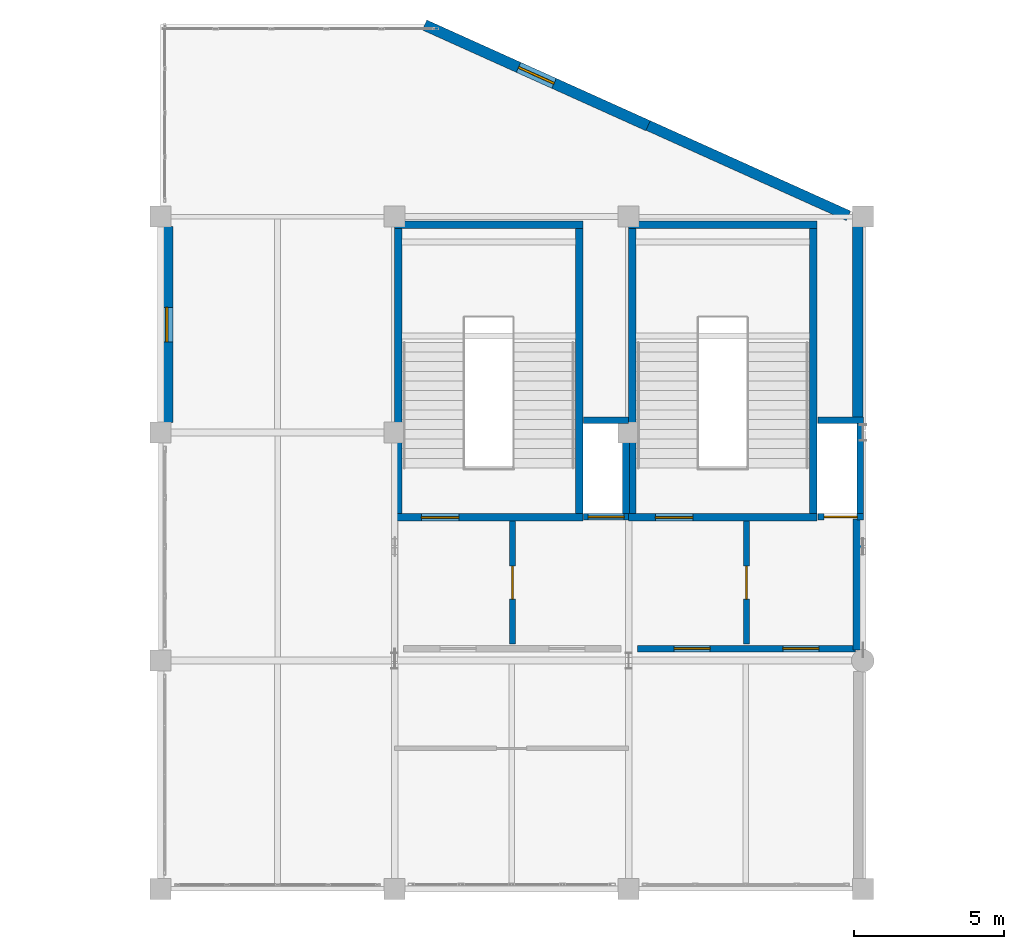
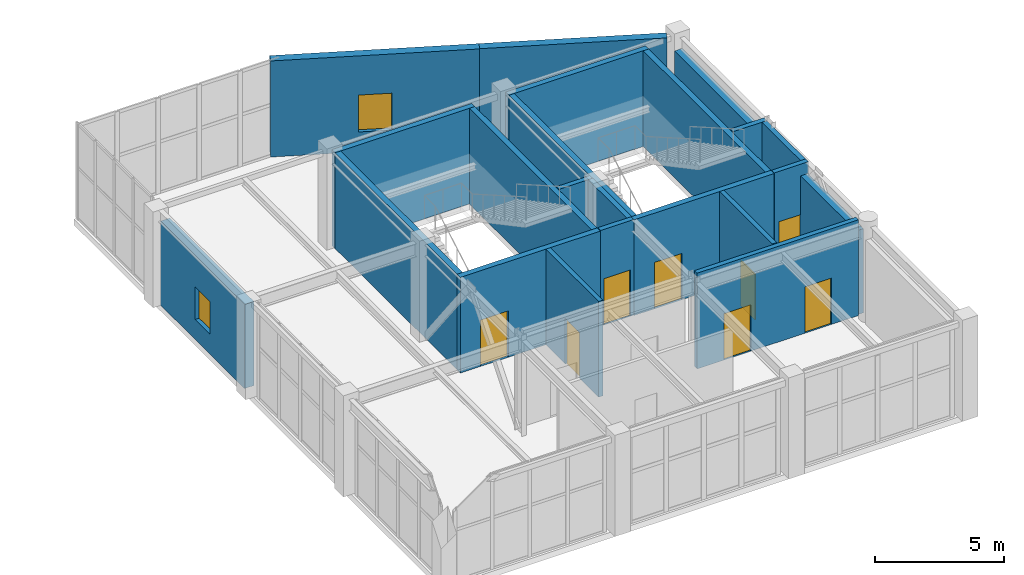
# One storey, part 68 of 72: 22 walls, 8 doors, 2 windows, 10 openings.
"""IFC4 building model written with IfcOpenShell, lengths in metres."""

from ifc_helpers import new_model, si_unit, direction, frame, frame_2d, origin, place, context, subcontext, project, spatial, rectangle, extrude, material, layer, layer_set, type_object, element, fill, save


model = new_model("IFC4")

# Units and contexts
model_context = context("Model", 3, precision=1e-05, world=origin(), true_north=direction((0.0, 1.0)))
body_context = subcontext(model_context, "Body", "Model", "MODEL_VIEW")
ifc_project = project(units=[si_unit("LENGTHUNIT", "METRE"), si_unit("AREAUNIT", "SQUARE_METRE"), si_unit("VOLUMEUNIT", "CUBIC_METRE"), si_unit("PLANEANGLEUNIT", "RADIAN"), si_unit("MASSUNIT", "GRAM", prefix="KILO")], contexts=[model_context])

# Site, building, storey
site_placement = place(None, origin())
site = spatial("IfcSite", under=ifc_project, at=site_placement, CompositionType="ELEMENT")
building_placement = place(site_placement, origin())
building = spatial("IfcBuilding", under=site, at=building_placement, Name="Xicomal Pleat Aquarium", CompositionType="ELEMENT")
storey_placement = place(building_placement, frame((0.0, 0.0, 10.5)))
storey = spatial("IfcBuildingStorey", under=building, at=storey_placement, Name="L03", CompositionType="ELEMENT", Elevation=10.5)

# Wall, opening, door
ifc_material_1 = material(Name="Concrete C40/50", Category="concrete")
ifc_layer_1 = layer(ifc_material_1, 0.219970703125)
ifc_layer_set_1 = layer_set([ifc_layer_1], Name="Concrete C40/50")
wall_type_1 = type_object("IfcWallType", Name="WAL-COR-220", PredefinedType="SHEAR", material=ifc_layer_set_1)
wall_1_placement = place(storey_placement, frame((147.89990234375, 88.389892578125, 0.0), z_axis=(0.0, 0.0, 1.0), x_axis=(1.0, 0.0, 0.0)))
wall_1 = element("IfcWall", 1, at=wall_1_placement, inside=storey, type_object=wall_type_1, Name="L03 LF-05 lift shaft wall CW-L03-C5-LS", PredefinedType="SHEAR", context=body_context, shape_type="SweptSolid", body=[
    extrude(rectangle(XDim=1.489990234375, YDim=0.219970703125, at=frame_2d((0.7451171875, 0.0))), origin(), (0.0, 0.0, 1.0), 4.5400390625),
])
opening_1_placement = place(wall_1_placement, frame((0.14501953125, 0.0, 0.0)))
opening_1 = element("IfcOpeningElement", 2, at=opening_1_placement, cuts=wall_1, Name="Opening LD-05-L03", PredefinedType="OPENING", context=body_context, shape_type="SweptSolid", body=[
    extrude(rectangle(XDim=1.199951171875, YDim=2.199951171875, at=frame_2d((0.60009765625, 1.10009765625))), frame((0.0, 0.119873046875, 0.0), z_axis=(0.0, -1.0, 0.0), x_axis=(1.0, 0.0, 0.0)), (0.0, 0.0, 1.0), 0.239990234375),
])
ifc_material_2 = material(Name="Brushed stainless steel 304", Category="steel")
door_type_1 = type_object("IfcDoorType", Name="DOR-LD-1200x2200", OperationType="DOUBLE_DOOR_SLIDING", PredefinedType="DOOR", material=ifc_material_2)
door_1_placement = place(opening_1_placement, origin())
door_1 = element("IfcDoor", 3, at=door_1_placement, inside=storey, type_object=door_type_1, Name="L03 LF-05 sliding lift landing door", OperationType="DOUBLE_DOOR_SLIDING", OverallHeight=2.199951171875, OverallWidth=1.199951171875, PredefinedType="DOOR", context=body_context, shape_type="SweptSolid", body=[
    extrude(rectangle(XDim=1.199951171875, YDim=2.199951171875, at=frame_2d((0.60009765625, 1.10009765625))), frame((0.0, 0.02490234375, 0.0), z_axis=(0.0, -1.0, 0.0), x_axis=(1.0, 0.0, 0.0)), (0.0, 0.0, 1.0), 0.050048828125),
])
fill(opening_1, door_1)

# Walls
wall_2_placement = place(storey_placement, frame((147.89990234375, 91.610107421875, 0.0), z_axis=(0.0, 0.0, 1.0), x_axis=(1.0, 0.0, 0.0)))
element("IfcWall", 4, at=wall_2_placement, inside=storey, type_object=wall_type_1, Name="L03 LF-05 lift shaft wall CW-L03-C5-LN", PredefinedType="SHEAR", context=body_context, shape_type="SweptSolid", body=[
    extrude(rectangle(XDim=1.489990234375, YDim=0.219970703125, at=frame_2d((0.7451171875, 0.0))), origin(), (0.0, 0.0, 1.0), 4.5400390625),
])
wall_3_placement = place(storey_placement, frame((149.31005859375, 88.5, 0.0), z_axis=(0.0, 0.0, 1.0), x_axis=(0.0, 1.0, 0.0)))
element("IfcWall", 5, at=wall_3_placement, inside=storey, type_object=wall_type_1, Name="L03 LF-05 lift shaft wall CW-L03-C5-LE", PredefinedType="SHEAR", context=body_context, shape_type="SweptSolid", body=[
    extrude(rectangle(XDim=3.0, YDim=0.219970703125, at=frame_2d((1.5, 0.0))), origin(), (0.0, 0.0, 1.0), 4.5400390625),
])

# Wall, opening, door
wall_4_placement = place(storey_placement, frame((155.699951171875, 88.389892578125, 0.0), z_axis=(0.0, 0.0, 1.0), x_axis=(1.0, 0.0, 0.0)))
wall_4 = element("IfcWall", 6, at=wall_4_placement, inside=storey, type_object=wall_type_1, Name="L03 LF-06 lift shaft wall CW-L03-C6-LS", PredefinedType="SHEAR", context=body_context, shape_type="SweptSolid", body=[
    extrude(rectangle(XDim=1.52001953125, YDim=0.219970703125, at=frame_2d((0.760009765625, 0.0))), origin(), (0.0, 0.0, 1.0), 4.5400390625),
])
opening_2_placement = place(wall_4_placement, frame((0.2099609375, 0.0, 0.0)))
opening_2 = element("IfcOpeningElement", 7, at=opening_2_placement, cuts=wall_4, Name="Opening LD-06-L03", PredefinedType="OPENING", context=body_context, shape_type="SweptSolid", body=[
    extrude(rectangle(XDim=1.10009765625, YDim=2.14990234375, at=frame_2d((0.550048828125, 1.074951171875))), frame((0.0, 0.119873046875, 0.0), z_axis=(0.0, -1.0, 0.0), x_axis=(1.0, 0.0, 0.0)), (0.0, 0.0, 1.0), 0.239990234375),
])
ifc_material_3 = material(Name="Brushed stainless steel 304", Category="steel")
door_type_2 = type_object("IfcDoorType", Name="DOR-LD-1100x2150", OperationType="DOUBLE_DOOR_SLIDING", PredefinedType="DOOR", material=ifc_material_3)
door_2_placement = place(opening_2_placement, origin())
door_2 = element("IfcDoor", 8, at=door_2_placement, inside=storey, type_object=door_type_2, Name="L03 LF-06 sliding lift landing door", OperationType="DOUBLE_DOOR_SLIDING", OverallHeight=2.14990234375, OverallWidth=1.10009765625, PredefinedType="DOOR", context=body_context, shape_type="SweptSolid", body=[
    extrude(rectangle(XDim=1.10009765625, YDim=2.14990234375, at=frame_2d((0.550048828125, 1.074951171875))), frame((0.0, 0.02490234375, 0.0), z_axis=(0.0, -1.0, 0.0), x_axis=(1.0, 0.0, 0.0)), (0.0, 0.0, 1.0), 0.050048828125),
])
fill(opening_2, door_2)

# Walls
wall_5_placement = place(storey_placement, frame((155.699951171875, 91.610107421875, 0.0), z_axis=(0.0, 0.0, 1.0), x_axis=(1.0, 0.0, 0.0)))
element("IfcWall", 9, at=wall_5_placement, inside=storey, type_object=wall_type_1, Name="L03 LF-06 lift shaft wall CW-L03-C6-LN", PredefinedType="SHEAR", context=body_context, shape_type="SweptSolid", body=[
    extrude(rectangle(XDim=1.52001953125, YDim=0.219970703125, at=frame_2d((0.760009765625, 0.0))), origin(), (0.0, 0.0, 1.0), 4.5400390625),
])
wall_6_placement = place(storey_placement, frame((157.110107421875, 88.5, 0.0), z_axis=(0.0, 0.0, 1.0), x_axis=(0.0, 1.0, 0.0)))
element("IfcWall", 10, at=wall_6_placement, inside=storey, type_object=wall_type_1, Name="L03 LF-06 lift shaft wall CW-L03-C6-LE", PredefinedType="SHEAR", context=body_context, shape_type="SweptSolid", body=[
    extrude(rectangle(XDim=3.0, YDim=0.219970703125, at=frame_2d((1.5, 0.0))), origin(), (0.0, 0.0, 1.0), 4.5400390625),
])

# Wall, opening, door
ifc_material_4 = material(Name="Concrete C40/50", Category="concrete")
ifc_layer_2 = layer(ifc_material_4, 0.25)
ifc_layer_set_2 = layer_set([ifc_layer_2], Name="Concrete C40/50")
wall_type_2 = type_object("IfcWallType", Name="WAL-COR-250", PredefinedType="SHEAR", material=ifc_layer_set_2)
wall_7_placement = place(storey_placement, frame((141.590087890625, 88.375, 0.0), z_axis=(0.0, 0.0, 1.0), x_axis=(1.0, 0.0, 0.0)))
wall_7 = element("IfcWall", 11, at=wall_7_placement, inside=storey, type_object=wall_type_2, Name="L03 CORE-5 stair shear wall CW-L03-C5-SS", PredefinedType="SHEAR", context=body_context, shape_type="SweptSolid", body=[
    extrude(rectangle(XDim=6.280029296875, YDim=0.25, at=frame_2d((3.14013671875, 0.0))), origin(), (0.0, 0.0, 1.0), 4.5400390625),
])
opening_3_placement = place(wall_7_placement, frame((0.89990234375, 0.0, 0.0)))
opening_3 = element("IfcOpeningElement", 12, at=opening_3_placement, cuts=wall_7, Name="Opening SD-05-L03", PredefinedType="OPENING", context=body_context, shape_type="SweptSolid", body=[
    extrude(rectangle(XDim=1.25, YDim=2.199951171875, at=frame_2d((0.625, 1.10009765625))), frame((0.0, 0.135009765625, 0.0), z_axis=(0.0, -1.0, 0.0), x_axis=(1.0, 0.0, 0.0)), (0.0, 0.0, 1.0), 0.27001953125),
])
ifc_material_5 = material(Name="Powder-coated steel fire door", Category="steel")
door_type_3 = type_object("IfcDoorType", Name="DOR-ST-1250x2200", OperationType="NOTDEFINED", PredefinedType="DOOR", material=ifc_material_5)
door_3_placement = place(opening_3_placement, origin())
door_3 = element("IfcDoor", 13, at=door_3_placement, inside=storey, type_object=door_type_3, Name="L03 ST-05 protected stair door", OperationType="SINGLE_SWING_LEFT", OverallHeight=2.199951171875, OverallWidth=1.25, PredefinedType="DOOR", context=body_context, shape_type="SweptSolid", body=[
    extrude(rectangle(XDim=1.25, YDim=2.199951171875, at=frame_2d((0.625, 1.10009765625))), frame((0.0, 0.02490234375, 0.0), z_axis=(0.0, -1.0, 0.0), x_axis=(1.0, 0.0, 0.0)), (0.0, 0.0, 1.0), 0.050048828125),
])
fill(opening_3, door_3)

# Walls
wall_8_placement = place(storey_placement, frame((141.590087890625, 98.125, 0.0), z_axis=(0.0, 0.0, 1.0), x_axis=(1.0, 0.0, 0.0)))
element("IfcWall", 14, at=wall_8_placement, inside=storey, type_object=wall_type_2, Name="L03 CORE-5 stair shear wall CW-L03-C5-SN", PredefinedType="SHEAR", context=body_context, shape_type="SweptSolid", body=[
    extrude(rectangle(XDim=6.280029296875, YDim=0.25, at=frame_2d((3.14013671875, 0.0))), origin(), (0.0, 0.0, 1.0), 4.5400390625),
])
for number, where, z_axis, x_axis, name in (
    (15, (141.715087890625, 88.5, 0.0), (0.0, 0.0, 1.0), (0.0, 1.0, 0.0), "L03 CORE-5 stair shear wall CW-L03-C5-SW"),
    (16, (147.7451171875, 88.5, 0.0), (0.0, 0.0, 1.0), (0.0, 1.0, 0.0), "L03 CORE-5 stair shear wall CW-L03-C5-SE"),
):
    element("IfcWall", number, at=place(storey_placement, frame(where, z_axis=z_axis, x_axis=x_axis)), inside=storey, type_object=wall_type_2, Name=name, PredefinedType="SHEAR", context=body_context, shape_type="SweptSolid", body=[
        extrude(rectangle(XDim=9.5, YDim=0.25, at=frame_2d((4.75, 0.0))), origin(), (0.0, 0.0, 1.0), 4.5400390625),
    ])

# Wall, opening, door
wall_9_placement = place(storey_placement, frame((149.389892578125, 88.375, 0.0), z_axis=(0.0, 0.0, 1.0), x_axis=(1.0, 0.0, 0.0)))
wall_9 = element("IfcWall", 17, at=wall_9_placement, inside=storey, type_object=wall_type_2, Name="L03 CORE-6 stair shear wall CW-L03-C6-SS", PredefinedType="SHEAR", context=body_context, shape_type="SweptSolid", body=[
    extrude(rectangle(XDim=6.280029296875, YDim=0.25, at=frame_2d((3.14013671875, 0.0))), origin(), (0.0, 0.0, 1.0), 4.5400390625),
])
opening_4_placement = place(wall_9_placement, frame((0.89990234375, 0.0, 0.0)))
opening_4 = element("IfcOpeningElement", 18, at=opening_4_placement, cuts=wall_9, Name="Opening SD-06-L03", PredefinedType="OPENING", context=body_context, shape_type="SweptSolid", body=[
    extrude(rectangle(XDim=1.25, YDim=2.199951171875, at=frame_2d((0.625, 1.10009765625))), frame((0.0, 0.135009765625, 0.0), z_axis=(0.0, -1.0, 0.0), x_axis=(1.0, 0.0, 0.0)), (0.0, 0.0, 1.0), 0.27001953125),
])
door_4_placement = place(opening_4_placement, origin())
door_4 = element("IfcDoor", 19, at=door_4_placement, inside=storey, type_object=door_type_3, Name="L03 ST-06 protected stair door", OperationType="SINGLE_SWING_LEFT", OverallHeight=2.199951171875, OverallWidth=1.25, PredefinedType="DOOR", context=body_context, shape_type="SweptSolid", body=[
    extrude(rectangle(XDim=1.25, YDim=2.199951171875, at=frame_2d((0.625, 1.10009765625))), frame((0.0, 0.02490234375, 0.0), z_axis=(0.0, -1.0, 0.0), x_axis=(1.0, 0.0, 0.0)), (0.0, 0.0, 1.0), 0.050048828125),
])
fill(opening_4, door_4)

# Walls
wall_10_placement = place(storey_placement, frame((149.389892578125, 98.125, 0.0), z_axis=(0.0, 0.0, 1.0), x_axis=(1.0, 0.0, 0.0)))
element("IfcWall", 20, at=wall_10_placement, inside=storey, type_object=wall_type_2, Name="L03 CORE-6 stair shear wall CW-L03-C6-SN", PredefinedType="SHEAR", context=body_context, shape_type="SweptSolid", body=[
    extrude(rectangle(XDim=6.280029296875, YDim=0.25, at=frame_2d((3.14013671875, 0.0))), origin(), (0.0, 0.0, 1.0), 4.5400390625),
])
for number, where, z_axis, x_axis, name in (
    (21, (149.514892578125, 88.5, 0.0), (0.0, 0.0, 1.0), (0.0, 1.0, 0.0), "L03 CORE-6 stair shear wall CW-L03-C6-SW"),
    (22, (155.544921875, 88.5, 0.0), (0.0, 0.0, 1.0), (0.0, 1.0, 0.0), "L03 CORE-6 stair shear wall CW-L03-C6-SE"),
):
    element("IfcWall", number, at=place(storey_placement, frame(where, z_axis=z_axis, x_axis=x_axis)), inside=storey, type_object=wall_type_2, Name=name, PredefinedType="SHEAR", context=body_context, shape_type="SweptSolid", body=[
        extrude(rectangle(XDim=9.5, YDim=0.25, at=frame_2d((4.75, 0.0))), origin(), (0.0, 0.0, 1.0), 4.5400390625),
    ])
ifc_material_6 = material(Name="Volcanic basalt recinto masonry and concrete C40/50", Category="masonry")
ifc_layer_3 = layer(ifc_material_6, 0.35009765625)
ifc_layer_set_3 = layer_set([ifc_layer_3], Name="Volcanic basalt recinto masonry and concrete C40/50")
wall_type_3 = type_object("IfcWallType", Name="WAL-EXT-BAS-350", PredefinedType="SOLIDWALL", material=ifc_layer_set_3)
wall_11_placement = place(storey_placement, frame((150.0458984375, 101.43310546875, 0.0), z_axis=(0.0, 0.0, 1.0), x_axis=(0.911629880324, -0.411012118191, 0.0)))
element("IfcWall", 23, at=wall_11_placement, inside=storey, type_object=wall_type_3, Name="L03 exterior basalt-precast wall EW-L03-028", PredefinedType="SOLIDWALL", context=body_context, shape_type="SweptSolid", body=[
    extrude(rectangle(XDim=7.321044921875, YDim=0.35009765625, at=frame_2d((3.66064453125, 0.0))), origin(), (0.0, 0.0, 1.0), 4.56005859375),
])

# Wall, opening, window
ifc_material_7 = material(Name="Volcanic basalt recinto masonry and concrete C40/50", Category="masonry")
ifc_layer_4 = layer(ifc_material_7, 0.364990234375)
ifc_layer_set_4 = layer_set([ifc_layer_4], Name="Volcanic basalt recinto masonry and concrete C40/50")
wall_type_4 = type_object("IfcWallType", Name="WAL-EXT-BAS-365", PredefinedType="SOLIDWALL", material=ifc_layer_set_4)
wall_12_placement = place(storey_placement, frame((142.596923828125, 104.781982421875, 0.0), z_axis=(0.0, 0.0, 1.0), x_axis=(0.911636609409, -0.410997192674, 0.0)))
wall_12 = element("IfcWall", 24, at=wall_12_placement, inside=storey, type_object=wall_type_4, Name="L03 exterior basalt-precast wall EW-L03-027", PredefinedType="SOLIDWALL", context=body_context, shape_type="SweptSolid", body=[
    extrude(rectangle(XDim=8.167724609375, YDim=0.364990234375, at=frame_2d((4.083984375, 0.0))), origin(), (0.0, 0.0, 1.0), 4.56005859375),
])
opening_5_placement = place(wall_12_placement, frame((3.43408203125, 0.0, 0.949951171875)))
opening_5 = element("IfcOpeningElement", 25, at=opening_5_placement, cuts=wall_12, Name="Opening WN-16", PredefinedType="OPENING", context=body_context, shape_type="SweptSolid", body=[
    extrude(rectangle(XDim=1.300048828125, YDim=1.75, at=frame_2d((0.64990234375, 0.875))), frame((0.0, 0.1923828125, 0.0), z_axis=(0.0, -1.0, 0.0), x_axis=(1.0, 0.0, 0.0)), (0.0, 0.0, 1.0), 0.385009765625),
])
ifc_material_8 = material(Name="Insulated low-E laminated glass", Category="glass")
window_type_1 = type_object("IfcWindowType", Name="WIN-EXT-1300x1750", PartitioningType="SINGLE_PANEL", PredefinedType="WINDOW", material=ifc_material_8)
window_1_placement = place(opening_5_placement, origin())
window_1 = element("IfcWindow", 26, at=window_1_placement, inside=storey, type_object=window_type_1, Name="L03 thermally broken low-E window 16", OverallHeight=1.75, OverallWidth=1.300048828125, PartitioningType="SINGLE_PANEL", PredefinedType="WINDOW", context=body_context, shape_type="SweptSolid", body=[
    extrude(rectangle(XDim=1.300048828125, YDim=1.75, at=frame_2d((0.64990234375, 0.875))), frame((0.0, 0.030029296875, 0.0), z_axis=(0.0, -1.0, 0.0), x_axis=(1.0, 0.0, 0.0)), (0.0, 0.0, 1.0), 0.06005859375),
])
fill(opening_5, window_1)

ifc_material_9 = material(Name="Volcanic basalt recinto masonry and concrete C40/50", Category="masonry")
ifc_layer_5 = layer(ifc_material_9, 0.419921875)
ifc_layer_set_5 = layer_set([ifc_layer_5], Name="Volcanic basalt recinto masonry and concrete C40/50")
wall_type_5 = type_object("IfcWallType", Name="WAL-EXT-BAS-420", PredefinedType="SOLIDWALL", material=ifc_layer_set_5)
wall_13_placement = place(storey_placement, frame((134.010009765625, 91.534912109375, 0.0), z_axis=(0.0, 0.0, 1.0), x_axis=(0.0, 1.0, 0.0)))
wall_13 = element("IfcWall", 27, at=wall_13_placement, inside=storey, type_object=wall_type_5, Name="L03 exterior basalt-precast wall EW-L03-024", PredefinedType="SOLIDWALL", context=body_context, shape_type="SweptSolid", body=[
    extrude(rectangle(XDim=6.530029296875, YDim=0.419921875, at=frame_2d((3.26513671875, 0.0))), origin(), (0.0, 0.0, 1.0), 3.990966796875),
])
opening_6_placement = place(wall_13_placement, frame((2.68994140625, 0.0, 0.949951171875)))
opening_6 = element("IfcOpeningElement", 28, at=opening_6_placement, cuts=wall_13, Name="Opening WN-15", PredefinedType="OPENING", context=body_context, shape_type="SweptSolid", body=[
    extrude(rectangle(XDim=1.14990234375, YDim=1.550048828125, at=frame_2d((0.574951171875, 0.77490234375))), frame((0.0, 0.219970703125, 0.0), z_axis=(0.0, -1.0, 0.0), x_axis=(1.0, 0.0, 0.0)), (0.0, 0.0, 1.0), 0.43994140625),
])
ifc_material_10 = material(Name="Insulated low-E laminated glass", Category="glass")
window_type_2 = type_object("IfcWindowType", Name="WIN-EXT-1150x1550", PartitioningType="SINGLE_PANEL", PredefinedType="WINDOW", material=ifc_material_10)
window_2_placement = place(opening_6_placement, origin())
window_2 = element("IfcWindow", 29, at=window_2_placement, inside=storey, type_object=window_type_2, Name="L03 thermally broken low-E window 15", OverallHeight=1.550048828125, OverallWidth=1.14990234375, PartitioningType="SINGLE_PANEL", PredefinedType="WINDOW", context=body_context, shape_type="SweptSolid", body=[
    extrude(rectangle(XDim=1.14990234375, YDim=1.550048828125, at=frame_2d((0.574951171875, 0.77490234375))), frame((0.0, 0.030029296875, 0.0), z_axis=(0.0, -1.0, 0.0), x_axis=(1.0, 0.0, 0.0)), (0.0, 0.0, 1.0), 0.06005859375),
])
fill(opening_6, window_2)

# Walls
ifc_material_11 = material(Name="Precast concrete C40/50", Category="concrete")
ifc_layer_6 = layer(ifc_material_11, 0.324951171875)
ifc_layer_set_6 = layer_set([ifc_layer_6], Name="Precast concrete C40/50")
wall_type_6 = type_object("IfcWallType", Name="WAL-EXT-PRC-325", PredefinedType="SOLIDWALL", material=ifc_layer_set_6)
wall_14_placement = place(storey_placement, frame((157.037109375, 88.320068359375, 0.0), z_axis=(0.0, 0.0, 1.0), x_axis=(0.0, -1.0, 0.0)))
element("IfcWall", 30, at=wall_14_placement, inside=storey, type_object=wall_type_6, Name="L03 exterior basalt-precast wall EW-L03-017", PredefinedType="SOLIDWALL", context=body_context, shape_type="SweptSolid", body=[
    extrude(rectangle(XDim=4.360107421875, YDim=0.324951171875, at=frame_2d((2.18017578125, 0.0))), origin(), (0.0, 0.0, 1.0), 3.990966796875),
])
ifc_material_12 = material(Name="Precast concrete C40/50", Category="concrete")
ifc_layer_7 = layer(ifc_material_12, 0.340087890625)
ifc_layer_set_7 = layer_set([ifc_layer_7], Name="Precast concrete C40/50")
wall_type_7 = type_object("IfcWallType", Name="WAL-EXT-PRC-340", PredefinedType="SOLIDWALL", material=ifc_layer_set_7)
wall_15_placement = place(storey_placement, frame((157.030029296875, 98.06494140625, 0.0), z_axis=(0.0, 0.0, 1.0), x_axis=(0.0, -1.0, 0.0)))
element("IfcWall", 31, at=wall_15_placement, inside=storey, type_object=wall_type_7, Name="L03 exterior basalt-precast wall EW-L03-016", PredefinedType="SOLIDWALL", context=body_context, shape_type="SweptSolid", body=[
    extrude(rectangle(XDim=6.385009765625, YDim=0.340087890625, at=frame_2d((3.1923828125, 0.0))), origin(), (0.0, 0.0, 1.0), 3.990966796875),
])

# Wall, opening, door
ifc_material_13 = material(Name="Acoustic double-stud drywall partition", Category="gypsum")
ifc_layer_8 = layer(ifc_material_13, 0.195068359375)
ifc_layer_set_8 = layer_set([ifc_layer_8], Name="Acoustic double-stud drywall partition")
wall_type_8 = type_object("IfcWallType", Name="WAL-PRT-195", PredefinedType="PARTITIONING", material=ifc_layer_set_8)
wall_16_placement = place(storey_placement, frame((145.52490234375, 84.14990234375, 0.0), z_axis=(0.0, 0.0, 1.0), x_axis=(0.0, 1.0, 0.0)))
wall_16 = element("IfcWall", 32, at=wall_16_placement, inside=storey, type_object=wall_type_8, Name="L03 firefighting lobby smoke divider 5", PredefinedType="PARTITIONING", context=body_context, shape_type="SweptSolid", body=[
    extrude(rectangle(XDim=4.10009765625, YDim=0.195068359375, at=frame_2d((2.050048828125, 0.0))), origin(), (0.0, 0.0, 1.0), 4.5400390625),
])
opening_7_placement = place(wall_16_placement, frame((1.5, 0.0, 0.0)))
opening_7 = element("IfcOpeningElement", 33, at=opening_7_placement, cuts=wall_16, Name="Opening FD-05C-L03", PredefinedType="OPENING", context=body_context, shape_type="SweptSolid", body=[
    extrude(rectangle(XDim=1.10009765625, YDim=2.14990234375, at=frame_2d((0.550048828125, 1.074951171875))), frame((0.0, 0.107421875, 0.0), z_axis=(0.0, -1.0, 0.0), x_axis=(1.0, 0.0, 0.0)), (0.0, 0.0, 1.0), 0.215087890625),
])
ifc_material_14 = material(Name="Powder-coated steel fire door", Category="steel")
door_type_4 = type_object("IfcDoorType", Name="DOR-LAB-1100x2150", OperationType="NOTDEFINED", PredefinedType="DOOR", material=ifc_material_14)
door_5_placement = place(opening_7_placement, origin())
door_5 = element("IfcDoor", 34, at=door_5_placement, inside=storey, type_object=door_type_4, Name="L03 lobby interconnecting fire door 5C", OperationType="SINGLE_SWING_RIGHT", OverallHeight=2.14990234375, OverallWidth=1.10009765625, PredefinedType="DOOR", context=body_context, shape_type="SweptSolid", body=[
    extrude(rectangle(XDim=1.10009765625, YDim=2.14990234375, at=frame_2d((0.550048828125, 1.074951171875))), frame((0.0, 0.02490234375, 0.0), z_axis=(0.0, -1.0, 0.0), x_axis=(1.0, 0.0, 0.0)), (0.0, 0.0, 1.0), 0.050048828125),
])
fill(opening_7, door_5)

wall_17_placement = place(storey_placement, frame((153.324951171875, 84.14990234375, 0.0), z_axis=(0.0, 0.0, 1.0), x_axis=(0.0, 1.0, 0.0)))
wall_17 = element("IfcWall", 35, at=wall_17_placement, inside=storey, type_object=wall_type_8, Name="L03 firefighting lobby smoke divider 6", PredefinedType="PARTITIONING", context=body_context, shape_type="SweptSolid", body=[
    extrude(rectangle(XDim=4.10009765625, YDim=0.195068359375, at=frame_2d((2.050048828125, 0.0))), origin(), (0.0, 0.0, 1.0), 4.5400390625),
])
opening_8_placement = place(wall_17_placement, frame((1.5, 0.0, 0.0)))
opening_8 = element("IfcOpeningElement", 36, at=opening_8_placement, cuts=wall_17, Name="Opening FD-06C-L03", PredefinedType="OPENING", context=body_context, shape_type="SweptSolid", body=[
    extrude(rectangle(XDim=1.10009765625, YDim=2.14990234375, at=frame_2d((0.550048828125, 1.074951171875))), frame((0.0, 0.107421875, 0.0), z_axis=(0.0, -1.0, 0.0), x_axis=(1.0, 0.0, 0.0)), (0.0, 0.0, 1.0), 0.215087890625),
])
door_6_placement = place(opening_8_placement, origin())
door_6 = element("IfcDoor", 37, at=door_6_placement, inside=storey, type_object=door_type_4, Name="L03 lobby interconnecting fire door 6C", OperationType="SINGLE_SWING_RIGHT", OverallHeight=2.14990234375, OverallWidth=1.10009765625, PredefinedType="DOOR", context=body_context, shape_type="SweptSolid", body=[
    extrude(rectangle(XDim=1.10009765625, YDim=2.14990234375, at=frame_2d((0.550048828125, 1.074951171875))), frame((0.0, 0.02490234375, 0.0), z_axis=(0.0, -1.0, 0.0), x_axis=(1.0, 0.0, 0.0)), (0.0, 0.0, 1.0), 0.050048828125),
])
fill(opening_8, door_6)

# Wall, openings, doors
ifc_material_15 = material(Name="Fire-rated gypsum and mineral-wool partition", Category="gypsum")
ifc_layer_9 = layer(ifc_material_15, 0.2099609375)
ifc_layer_set_9 = layer_set([ifc_layer_9], Name="Fire-rated gypsum and mineral-wool partition")
wall_type_9 = type_object("IfcWallType", Name="WAL-PRT-210", PredefinedType="PARTITIONING", material=ifc_layer_set_9)
wall_18_placement = place(storey_placement, frame((149.699951171875, 84.0, 0.0), z_axis=(0.0, 0.0, 1.0), x_axis=(1.0, 0.0, 0.0)))
wall_18 = element("IfcWall", 38, at=wall_18_placement, inside=storey, type_object=wall_type_9, Name="L03 CORE-6 lobby fire enclosure wall", PredefinedType="PARTITIONING", context=body_context, shape_type="SweptSolid", body=[
    extrude(rectangle(XDim=7.25, YDim=0.2099609375, at=frame_2d((3.625, 0.0))), origin(), (0.0, 0.0, 1.0), 4.5400390625),
])
opening_9_placement = place(wall_18_placement, frame((1.2119140625, 0.0, 0.0)))
opening_9 = element("IfcOpeningElement", 39, at=opening_9_placement, cuts=wall_18, Name="Opening FD-06A-L03", PredefinedType="OPENING", context=body_context, shape_type="SweptSolid", body=[
    extrude(rectangle(XDim=1.199951171875, YDim=2.199951171875, at=frame_2d((0.60009765625, 1.10009765625))), frame((0.0, 0.114990234375, 0.0), z_axis=(0.0, -1.0, 0.0), x_axis=(1.0, 0.0, 0.0)), (0.0, 0.0, 1.0), 0.22998046875),
])
opening_10_placement = place(wall_18_placement, frame((4.837890625, 0.0, 0.0)))
opening_10 = element("IfcOpeningElement", 40, at=opening_10_placement, cuts=wall_18, Name="Opening FD-06B-L03", PredefinedType="OPENING", context=body_context, shape_type="SweptSolid", body=[
    extrude(rectangle(XDim=1.199951171875, YDim=2.199951171875, at=frame_2d((0.60009765625, 1.10009765625))), frame((0.0, 0.114990234375, 0.0), z_axis=(0.0, -1.0, 0.0), x_axis=(1.0, 0.0, 0.0)), (0.0, 0.0, 1.0), 0.22998046875),
])
ifc_material_16 = material(Name="Powder-coated steel fire door", Category="steel")
door_type_5 = type_object("IfcDoorType", Name="DOR-FFL-1200x2200", OperationType="NOTDEFINED", PredefinedType="DOOR", material=ifc_material_16)
door_7_placement = place(opening_9_placement, origin())
door_7 = element("IfcDoor", 41, at=door_7_placement, inside=storey, type_object=door_type_5, Name="L03 firefighting lobby door 6A", OperationType="SINGLE_SWING_RIGHT", OverallHeight=2.199951171875, OverallWidth=1.199951171875, PredefinedType="DOOR", context=body_context, shape_type="SweptSolid", body=[
    extrude(rectangle(XDim=1.199951171875, YDim=2.199951171875, at=frame_2d((0.60009765625, 1.10009765625))), frame((0.0, 0.02490234375, 0.0), z_axis=(0.0, -1.0, 0.0), x_axis=(1.0, 0.0, 0.0)), (0.0, 0.0, 1.0), 0.050048828125),
])
fill(opening_9, door_7)
door_8_placement = place(opening_10_placement, origin())
door_8 = element("IfcDoor", 42, at=door_8_placement, inside=storey, type_object=door_type_5, Name="L03 lift lobby door 6B", OperationType="SINGLE_SWING_LEFT", OverallHeight=2.199951171875, OverallWidth=1.199951171875, PredefinedType="DOOR", context=body_context, shape_type="SweptSolid", body=[
    extrude(rectangle(XDim=1.199951171875, YDim=2.199951171875, at=frame_2d((0.60009765625, 1.10009765625))), frame((0.0, 0.02490234375, 0.0), z_axis=(0.0, -1.0, 0.0), x_axis=(1.0, 0.0, 0.0)), (0.0, 0.0, 1.0), 0.050048828125),
])
fill(opening_10, door_8)

save(model, "model.ifc")
